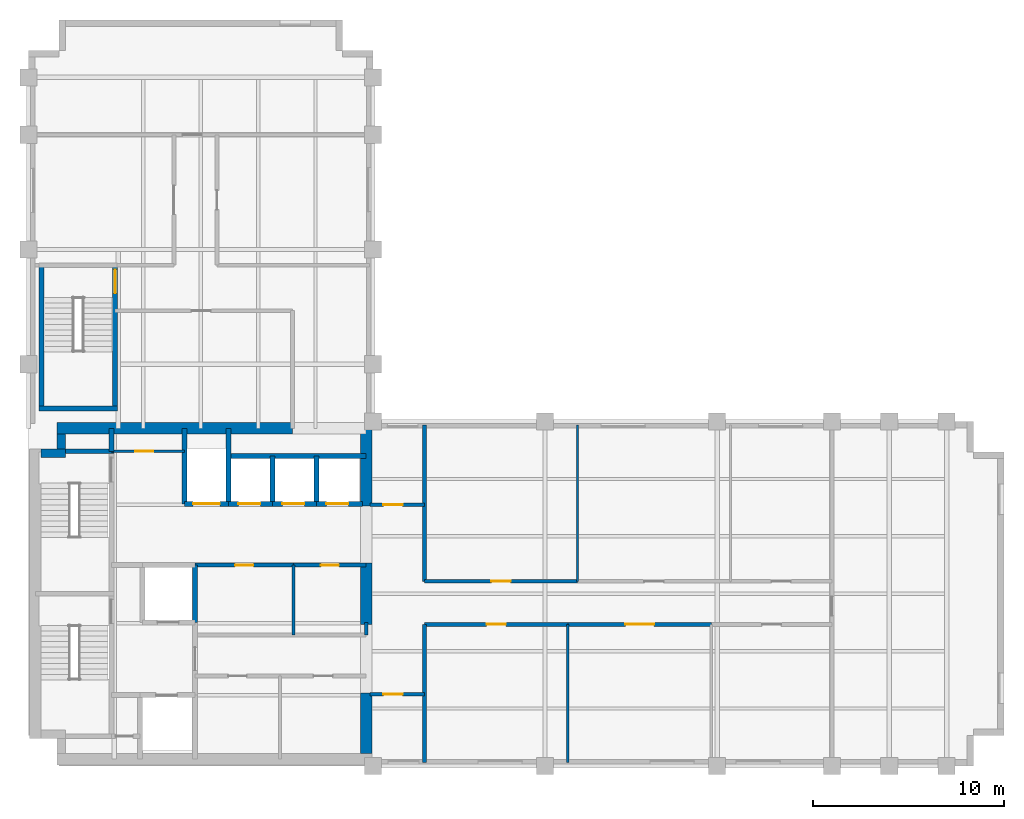
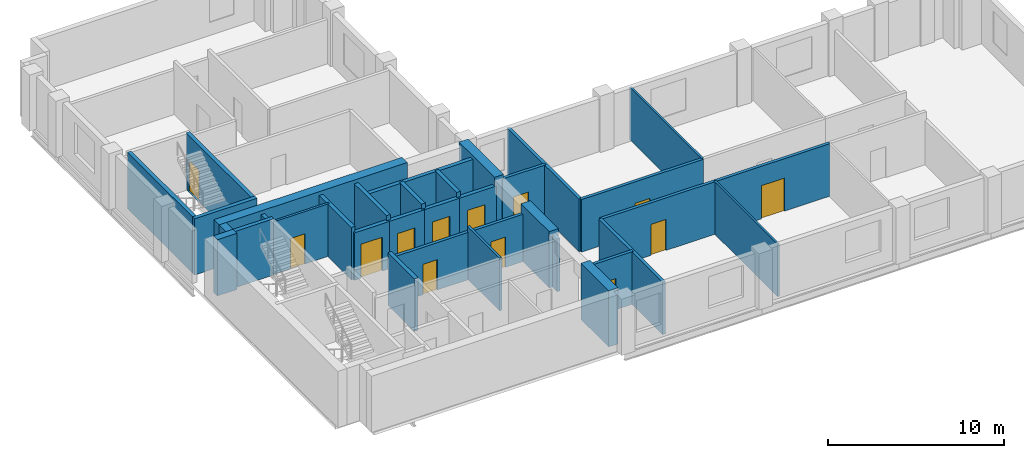
# One storey, part 3 of 6: 35 walls, 13 doors, 13 openings.
"""IFC4 building model written with IfcOpenShell, lengths in metres."""

from ifc_helpers import new_model, si_unit, direction, frame, frame_2d, origin, place, context, subcontext, project, spatial, rectangle, extrude, material, layer, layer_set, type_object, element, fill, save


model = new_model("IFC4")

# Units and contexts
model_context = context("Model", 3, precision=1e-05, world=origin(), true_north=direction((0.0, 1.0)))
body_context = subcontext(model_context, "Body", "Model", "MODEL_VIEW")
ifc_project = project(units=[si_unit("LENGTHUNIT", "METRE"), si_unit("AREAUNIT", "SQUARE_METRE"), si_unit("VOLUMEUNIT", "CUBIC_METRE"), si_unit("PLANEANGLEUNIT", "RADIAN"), si_unit("MASSUNIT", "GRAM", prefix="KILO")], contexts=[model_context])

# Site, building, storey
site_placement = place(None, origin())
site = spatial("IfcSite", under=ifc_project, at=site_placement, CompositionType="ELEMENT")
building_placement = place(site_placement, origin())
building = spatial("IfcBuilding", under=site, at=building_placement, Name="Mawjdan Bourse Tower", CompositionType="ELEMENT")
storey_placement = place(building_placement, frame((0.0, 0.0, 219.0)))
storey = spatial("IfcBuildingStorey", under=building, at=storey_placement, Name="L53", CompositionType="ELEMENT", Elevation=219.0)

# Wall
ifc_material_1 = material(Name="Gypsum Fireboard Assembly")
ifc_layer_1 = layer(ifc_material_1, 0.199951171875)
ifc_layer_set_1 = layer_set([ifc_layer_1], Name="Gypsum Fireboard Assembly")
wall_type_1 = type_object("IfcWallType", Name="WL-CMP-200", PredefinedType="PARTITIONING", material=ifc_layer_set_1)
wall_1_placement = place(storey_placement, frame((23.64990234375, 9.85009765625, 0.0), z_axis=(0.0, 0.0, 1.0), x_axis=(0.0, 1.0, 0.0)))
element("IfcWall", 1, at=wall_1_placement, inside=storey, type_object=wall_type_1, Name="L53 Core Restroom East Return", PredefinedType="PARTITIONING", context=body_context, shape_type="SweptSolid", body=[
    extrude(rectangle(XDim=0.64990234375, YDim=0.199951171875, at=frame_2d((0.324951171875, 0.0))), origin(), (0.0, 0.0, 1.0), 3.639892578125),
])

# Wall, opening, door
wall_2_placement = place(storey_placement, frame((14.699951171875, 13.5, 0.0), z_axis=(0.0, 0.0, 1.0), x_axis=(1.0, 0.0, 0.0)))
wall_2 = element("IfcWall", 2, at=wall_2_placement, inside=storey, type_object=wall_type_1, Name="L53 Accessible WC North Wall", PredefinedType="PARTITIONING", context=body_context, shape_type="SweptSolid", body=[
    extrude(rectangle(XDim=5.150146484375, YDim=0.199951171875, at=frame_2d((2.5751953125, 0.0))), origin(), (0.0, 0.0, 1.0), 3.282958984375),
])
opening_1_placement = place(wall_2_placement, frame((2.10009765625, 0.0, 0.0)))
opening_1 = element("IfcOpeningElement", 3, at=opening_1_placement, cuts=wall_2, Name="Opening D-L53-15", PredefinedType="OPENING", context=body_context, shape_type="SweptSolid", body=[
    extrude(rectangle(XDim=0.949951171875, YDim=2.10009765625, at=frame_2d((0.47509765625, 1.050048828125))), frame((0.0, 0.10986328125, 0.0), z_axis=(0.0, -1.0, 0.0), x_axis=(1.0, 0.0, 0.0)), (0.0, 0.0, 1.0), 0.219970703125),
])
ifc_material_2 = material(Name="Moisture-Resistant Laminate Timber", Category="wood")
door_type_1 = type_object("IfcDoorType", Name="DR-WET-0950", OperationType="NOTDEFINED", PredefinedType="DOOR", material=ifc_material_2)
door_1_placement = place(opening_1_placement, origin())
door_1 = element("IfcDoor", 4, at=door_1_placement, inside=storey, type_object=door_type_1, Name="L53 Accessible WC Door D-L53-15", OperationType="SINGLE_SWING_RIGHT", OverallHeight=2.10009765625, OverallWidth=0.949951171875, PredefinedType="DOOR", context=body_context, shape_type="SweptSolid", body=[
    extrude(rectangle(XDim=0.949951171875, YDim=2.10009765625, at=frame_2d((0.47509765625, 1.050048828125))), frame((0.0, 0.02490234375, 0.0), z_axis=(0.0, -1.0, 0.0), x_axis=(1.0, 0.0, 0.0)), (0.0, 0.0, 1.0), 0.050048828125),
])
fill(opening_1, door_1)

wall_3_placement = place(storey_placement, frame((19.85009765625, 13.5, 0.0), z_axis=(0.0, 0.0, 1.0), x_axis=(1.0, 0.0, 0.0)))
wall_3 = element("IfcWall", 5, at=wall_3_placement, inside=storey, type_object=wall_type_1, Name="L53 Executive Restroom Suite North Wall", PredefinedType="PARTITIONING", context=body_context, shape_type="SweptSolid", body=[
    extrude(rectangle(XDim=3.7998046875, YDim=0.199951171875, at=frame_2d((1.89990234375, 0.0))), origin(), (0.0, 0.0, 1.0), 3.282958984375),
])
opening_2_placement = place(wall_3_placement, frame((1.425048828125, 0.0, 0.0)))
opening_2 = element("IfcOpeningElement", 6, at=opening_2_placement, cuts=wall_3, Name="Opening D-L53-16", PredefinedType="OPENING", context=body_context, shape_type="SweptSolid", body=[
    extrude(rectangle(XDim=0.949951171875, YDim=2.10009765625, at=frame_2d((0.47509765625, 1.050048828125))), frame((0.0, 0.10986328125, 0.0), z_axis=(0.0, -1.0, 0.0), x_axis=(1.0, 0.0, 0.0)), (0.0, 0.0, 1.0), 0.219970703125),
])
door_2_placement = place(opening_2_placement, origin())
door_2 = element("IfcDoor", 7, at=door_2_placement, inside=storey, type_object=door_type_1, Name="L53 Executive Restroom Suite Door D-L53-16", OperationType="SINGLE_SWING_LEFT", OverallHeight=2.10009765625, OverallWidth=0.949951171875, PredefinedType="DOOR", context=body_context, shape_type="SweptSolid", body=[
    extrude(rectangle(XDim=0.949951171875, YDim=2.10009765625, at=frame_2d((0.47509765625, 1.050048828125))), frame((0.0, 0.02490234375, 0.0), z_axis=(0.0, -1.0, 0.0), x_axis=(1.0, 0.0, 0.0)), (0.0, 0.0, 1.0), 0.050048828125),
])
fill(opening_2, door_2)

wall_4_placement = place(storey_placement, frame((23.85009765625, 6.75, 0.0), z_axis=(0.0, 0.0, 1.0), x_axis=(1.0, 0.0, 0.0)))
wall_4 = element("IfcWall", 8, at=wall_4_placement, inside=storey, type_object=wall_type_1, Name="L53 West Pocket North Wall", PredefinedType="PARTITIONING", context=body_context, shape_type="SweptSolid", body=[
    extrude(rectangle(XDim=2.849853515625, YDim=0.199951171875, at=frame_2d((1.4248046875, 0.0))), origin(), (0.0, 0.0, 1.0), 3.639892578125),
])
opening_3_placement = place(wall_4_placement, frame((0.699951171875, 0.0, 0.0)))
opening_3 = element("IfcOpeningElement", 9, at=opening_3_placement, cuts=wall_4, Name="Opening D-L53-19", PredefinedType="OPENING", context=body_context, shape_type="SweptSolid", body=[
    extrude(rectangle(XDim=1.0, YDim=2.14990234375, at=frame_2d((0.5, 1.074951171875))), frame((0.0, 0.10986328125, 0.0), z_axis=(0.0, -1.0, 0.0), x_axis=(1.0, 0.0, 0.0)), (0.0, 0.0, 1.0), 0.219970703125),
])
ifc_material_3 = material(Name="Hardwood Acoustic Leaf", Category="wood")
door_type_2 = type_object("IfcDoorType", Name="DR-OFC-1000", OperationType="NOTDEFINED", PredefinedType="DOOR", material=ifc_material_3)
door_3_placement = place(opening_3_placement, origin())
door_3 = element("IfcDoor", 10, at=door_3_placement, inside=storey, type_object=door_type_2, Name="L53 West Pocket Office Door D-L53-19", OperationType="SINGLE_SWING_RIGHT", OverallHeight=2.14990234375, OverallWidth=1.0, PredefinedType="DOOR", context=body_context, shape_type="SweptSolid", body=[
    extrude(rectangle(XDim=1.0, YDim=2.14990234375, at=frame_2d((0.5, 1.074951171875))), frame((0.0, 0.02490234375, 0.0), z_axis=(0.0, -1.0, 0.0), x_axis=(1.0, 0.0, 0.0)), (0.0, 0.0, 1.0), 0.050048828125),
])
fill(opening_3, door_3)

wall_5_placement = place(storey_placement, frame((23.85009765625, 16.64990234375, 0.0), z_axis=(0.0, 0.0, 1.0), x_axis=(1.0, 0.0, 0.0)))
wall_5 = element("IfcWall", 11, at=wall_5_placement, inside=storey, type_object=wall_type_1, Name="L53 West North Pocket Wall", PredefinedType="PARTITIONING", context=body_context, shape_type="SweptSolid", body=[
    extrude(rectangle(XDim=2.849853515625, YDim=0.199951171875, at=frame_2d((1.4248046875, 0.0))), origin(), (0.0, 0.0, 1.0), 3.639892578125),
])
opening_4_placement = place(wall_5_placement, frame((0.699951171875, 0.0, 0.0)))
opening_4 = element("IfcOpeningElement", 12, at=opening_4_placement, cuts=wall_5, Name="Opening D-L53-20", PredefinedType="OPENING", context=body_context, shape_type="SweptSolid", body=[
    extrude(rectangle(XDim=1.0, YDim=2.14990234375, at=frame_2d((0.5, 1.074951171875))), frame((0.0, 0.10986328125, 0.0), z_axis=(0.0, -1.0, 0.0), x_axis=(1.0, 0.0, 0.0)), (0.0, 0.0, 1.0), 0.219970703125),
])
door_4_placement = place(opening_4_placement, origin())
door_4 = element("IfcDoor", 13, at=door_4_placement, inside=storey, type_object=door_type_2, Name="L53 West North Pocket Door D-L53-20", OperationType="SINGLE_SWING_LEFT", OverallHeight=2.14990234375, OverallWidth=1.0, PredefinedType="DOOR", context=body_context, shape_type="SweptSolid", body=[
    extrude(rectangle(XDim=1.0, YDim=2.14990234375, at=frame_2d((0.5, 1.074951171875))), frame((0.0, 0.02490234375, 0.0), z_axis=(0.0, -1.0, 0.0), x_axis=(1.0, 0.0, 0.0)), (0.0, 0.0, 1.0), 0.050048828125),
])
fill(opening_4, door_4)

# Walls
wall_6_placement = place(storey_placement, frame((26.699951171875, 3.179931640625, 0.0), z_axis=(0.0, 0.0, 1.0), x_axis=(0.0, 1.0, 0.0)))
element("IfcWall", 14, at=wall_6_placement, inside=storey, type_object=wall_type_1, Name="L53 Vestibule South East Wall", PredefinedType="PARTITIONING", context=body_context, shape_type="SweptSolid", body=[
    extrude(rectangle(XDim=7.219970703125, YDim=0.199951171875, at=frame_2d((3.60986328125, 0.0))), origin(), (0.0, 0.0, 1.0), 3.639892578125),
])
wall_7_placement = place(storey_placement, frame((26.699951171875, 12.64990234375, 0.0), z_axis=(0.0, 0.0, 1.0), x_axis=(0.0, 1.0, 0.0)))
element("IfcWall", 15, at=wall_7_placement, inside=storey, type_object=wall_type_1, Name="L53 Vestibule North East Wall", PredefinedType="PARTITIONING", context=body_context, shape_type="SweptSolid", body=[
    extrude(rectangle(XDim=8.170166015625, YDim=0.199951171875, at=frame_2d((4.0849609375, 0.0))), origin(), (0.0, 0.0, 1.0), 3.639892578125),
])

# Wall, opening, door
wall_8_placement = place(storey_placement, frame((26.699951171875, 10.39990234375, 0.0), z_axis=(0.0, 0.0, 1.0), x_axis=(1.0, 0.0, 0.0)))
wall_8 = element("IfcWall", 16, at=wall_8_placement, inside=storey, type_object=wall_type_1, Name="L53 Infrastructure Investment Suite Corridor Wall", PredefinedType="PARTITIONING", context=body_context, shape_type="SweptSolid", body=[
    extrude(rectangle(XDim=7.5, YDim=0.199951171875, at=frame_2d((3.75, 0.0))), origin(), (0.0, 0.0, 1.0), 3.639892578125),
])
opening_5_placement = place(wall_8_placement, frame((3.25, 0.0, 0.0)))
opening_5 = element("IfcOpeningElement", 17, at=opening_5_placement, cuts=wall_8, Name="Opening D-L53-21", PredefinedType="OPENING", context=body_context, shape_type="SweptSolid", body=[
    extrude(rectangle(XDim=1.0, YDim=2.14990234375, at=frame_2d((0.5, 1.074951171875))), frame((0.0, 0.10986328125, 0.0), z_axis=(0.0, -1.0, 0.0), x_axis=(1.0, 0.0, 0.0)), (0.0, 0.0, 1.0), 0.219970703125),
])
door_5_placement = place(opening_5_placement, origin())
door_5 = element("IfcDoor", 18, at=door_5_placement, inside=storey, type_object=door_type_2, Name="L53 Infrastructure Investment Suite Door D-L53-21", OperationType="SINGLE_SWING_RIGHT", OverallHeight=2.14990234375, OverallWidth=1.0, PredefinedType="DOOR", context=body_context, shape_type="SweptSolid", body=[
    extrude(rectangle(XDim=1.0, YDim=2.14990234375, at=frame_2d((0.5, 1.074951171875))), frame((0.0, 0.02490234375, 0.0), z_axis=(0.0, -1.0, 0.0), x_axis=(1.0, 0.0, 0.0)), (0.0, 0.0, 1.0), 0.050048828125),
])
fill(opening_5, door_5)

wall_9_placement = place(storey_placement, frame((34.199951171875, 10.39990234375, 0.0), z_axis=(0.0, 0.0, 1.0), x_axis=(1.0, 0.0, 0.0)))
wall_9 = element("IfcWall", 19, at=wall_9_placement, inside=storey, type_object=wall_type_1, Name="L53 Conference Room Corridor Wall", PredefinedType="PARTITIONING", context=body_context, shape_type="SweptSolid", body=[
    extrude(rectangle(XDim=7.5, YDim=0.199951171875, at=frame_2d((3.75, 0.0))), origin(), (0.0, 0.0, 1.0), 3.639892578125),
])
opening_6_placement = place(wall_9_placement, frame((3.0, 0.0, 0.0)))
opening_6 = element("IfcOpeningElement", 20, at=opening_6_placement, cuts=wall_9, Name="Opening D-L53-22", PredefinedType="OPENING", context=body_context, shape_type="SweptSolid", body=[
    extrude(rectangle(XDim=1.5, YDim=2.300048828125, at=frame_2d((0.75, 1.14990234375))), frame((0.0, 0.10986328125, 0.0), z_axis=(0.0, -1.0, 0.0), x_axis=(1.0, 0.0, 0.0)), (0.0, 0.0, 1.0), 0.219970703125),
])
ifc_material_4 = material(Name="Acoustic Glazed Timber", Category="wood")
door_type_3 = type_object("IfcDoorType", Name="DR-CNF-1500", OperationType="DOUBLE_DOOR_SINGLE_SWING", PredefinedType="DOOR", material=ifc_material_4)
door_6_placement = place(opening_6_placement, origin())
door_6 = element("IfcDoor", 21, at=door_6_placement, inside=storey, type_object=door_type_3, Name="L53 Conference Room Door D-L53-22", OperationType="DOUBLE_DOOR_SINGLE_SWING", OverallHeight=2.300048828125, OverallWidth=1.5, PredefinedType="DOOR", context=body_context, shape_type="SweptSolid", body=[
    extrude(rectangle(XDim=1.5, YDim=2.300048828125, at=frame_2d((0.75, 1.14990234375))), frame((0.0, 0.02490234375, 0.0), z_axis=(0.0, -1.0, 0.0), x_axis=(1.0, 0.0, 0.0)), (0.0, 0.0, 1.0), 0.050048828125),
])
fill(opening_6, door_6)

wall_10_placement = place(storey_placement, frame((26.699951171875, 12.64990234375, 0.0), z_axis=(0.0, 0.0, 1.0), x_axis=(1.0, 0.0, 0.0)))
wall_10 = element("IfcWall", 22, at=wall_10_placement, inside=storey, type_object=wall_type_1, Name="L53 Executive Office Corridor Wall", PredefinedType="PARTITIONING", context=body_context, shape_type="SweptSolid", body=[
    extrude(rectangle(XDim=8.0, YDim=0.199951171875, at=frame_2d((4.0, 0.0))), origin(), (0.0, 0.0, 1.0), 3.639892578125),
])
opening_7_placement = place(wall_10_placement, frame((3.5, 0.0, 0.0)))
opening_7 = element("IfcOpeningElement", 23, at=opening_7_placement, cuts=wall_10, Name="Opening D-L53-24", PredefinedType="OPENING", context=body_context, shape_type="SweptSolid", body=[
    extrude(rectangle(XDim=1.0, YDim=2.14990234375, at=frame_2d((0.5, 1.074951171875))), frame((0.0, 0.10986328125, 0.0), z_axis=(0.0, -1.0, 0.0), x_axis=(1.0, 0.0, 0.0)), (0.0, 0.0, 1.0), 0.219970703125),
])
door_7_placement = place(opening_7_placement, origin())
door_7 = element("IfcDoor", 24, at=door_7_placement, inside=storey, type_object=door_type_2, Name="L53 Executive Office Door D-L53-24", OperationType="SINGLE_SWING_RIGHT", OverallHeight=2.14990234375, OverallWidth=1.0, PredefinedType="DOOR", context=body_context, shape_type="SweptSolid", body=[
    extrude(rectangle(XDim=1.0, YDim=2.14990234375, at=frame_2d((0.5, 1.074951171875))), frame((0.0, 0.02490234375, 0.0), z_axis=(0.0, -1.0, 0.0), x_axis=(1.0, 0.0, 0.0)), (0.0, 0.0, 1.0), 0.050048828125),
])
fill(opening_7, door_7)

# Walls
ifc_material_5 = material(Name="Concrete C60/75", Category="concrete")
ifc_layer_2 = layer(ifc_material_5, 0.449951171875)
ifc_layer_set_2 = layer_set([ifc_layer_2], Name="Concrete C60/75")
wall_type_2 = type_object("IfcWallType", Name="WL-CORE-450", PredefinedType="SHEAR", material=ifc_layer_set_2)
wall_11_placement = place(storey_placement, frame((6.64990234375, 19.35009765625, 0.0), z_axis=(0.0, 0.0, 1.0), x_axis=(1.0, 0.0, 0.0)))
element("IfcWall", 25, at=wall_11_placement, inside=storey, type_object=wall_type_2, Name="L53 Rear Core Shear Wall NW-X", PredefinedType="SHEAR", context=body_context, shape_type="SweptSolid", body=[
    extrude(rectangle(XDim=1.275146484375, YDim=0.449951171875, at=frame_2d((0.6376953125, 0.0))), origin(), (0.0, 0.0, 1.0), 3.89990234375),
])
wall_12_placement = place(storey_placement, frame((7.699951171875, 19.574951171875, 0.0), z_axis=(0.0, 0.0, 1.0), x_axis=(0.0, 1.0, 0.0)))
element("IfcWall", 26, at=wall_12_placement, inside=storey, type_object=wall_type_2, Name="L53 Rear Core Shear Wall NW-Y", PredefinedType="SHEAR", context=body_context, shape_type="SweptSolid", body=[
    extrude(rectangle(XDim=0.775146484375, YDim=0.449951171875, at=frame_2d((0.3876953125, 0.0))), origin(), (0.0, 0.0, 1.0), 3.89990234375),
])
ifc_material_6 = material(Name="Concrete C70/85", Category="concrete")
ifc_layer_3 = layer(ifc_material_6, 0.60009765625)
ifc_layer_set_3 = layer_set([ifc_layer_3], Name="Concrete C70/85")
wall_type_3 = type_object("IfcWallType", Name="WL-CORE-600", PredefinedType="SHEAR", material=ifc_layer_set_3)
wall_13_placement = place(storey_placement, frame((7.47509765625, 20.64990234375, 0.0), z_axis=(0.0, 0.0, 1.0), x_axis=(1.0, 0.0, 0.0)))
element("IfcWall", 27, at=wall_13_placement, inside=storey, type_object=wall_type_3, Name="L53 Rear Core Shear Wall N", PredefinedType="SHEAR", context=body_context, shape_type="SweptSolid", body=[
    extrude(rectangle(XDim=12.324951171875, YDim=0.60009765625, at=frame_2d((6.16259765625, 0.0))), origin(), (0.0, 0.0, 1.0), 3.89990234375),
])
wall_14_placement = place(storey_placement, frame((23.64990234375, 3.64990234375, 0.0), z_axis=(0.0, 0.0, 1.0), x_axis=(0.0, 1.0, 0.0)))
element("IfcWall", 28, at=wall_14_placement, inside=storey, type_object=wall_type_3, Name="L53 Rear Core Shear Wall E1", PredefinedType="SHEAR", context=body_context, shape_type="SweptSolid", body=[
    extrude(rectangle(XDim=3.150146484375, YDim=0.60009765625, at=frame_2d((1.5751953125, 0.0))), origin(), (0.0, 0.0, 1.0), 3.89990234375),
])
wall_15_placement = place(storey_placement, frame((23.64990234375, 10.39990234375, 0.0), z_axis=(0.0, 0.0, 1.0), x_axis=(0.0, 1.0, 0.0)))
element("IfcWall", 29, at=wall_15_placement, inside=storey, type_object=wall_type_3, Name="L53 Rear Core Shear Wall E2", PredefinedType="SHEAR", context=body_context, shape_type="SweptSolid", body=[
    extrude(rectangle(XDim=3.2001953125, YDim=0.60009765625, at=frame_2d((1.60009765625, 0.0))), origin(), (0.0, 0.0, 1.0), 3.89990234375),
])
wall_16_placement = place(storey_placement, frame((23.64990234375, 16.60009765625, 0.0), z_axis=(0.0, 0.0, 1.0), x_axis=(0.0, 1.0, 0.0)))
element("IfcWall", 30, at=wall_16_placement, inside=storey, type_object=wall_type_3, Name="L53 Rear Core Shear Wall E3", PredefinedType="SHEAR", context=body_context, shape_type="SweptSolid", body=[
    extrude(rectangle(XDim=4.0498046875, YDim=0.60009765625, at=frame_2d((2.02490234375, 0.0))), origin(), (0.0, 0.0, 1.0), 3.89990234375),
])
ifc_material_7 = material(Name="Gypsum Partition")
ifc_layer_4 = layer(ifc_material_7, 0.125)
ifc_layer_set_4 = layer_set([ifc_layer_4], Name="Gypsum Partition")
wall_type_4 = type_object("IfcWallType", Name="WL-PRT-125", PredefinedType="PARTITIONING", material=ifc_layer_set_4)
wall_17_placement = place(storey_placement, frame((34.199951171875, 3.179931640625, 0.0), z_axis=(0.0, 0.0, 1.0), x_axis=(0.0, 1.0, 0.0)))
element("IfcWall", 31, at=wall_17_placement, inside=storey, type_object=wall_type_4, Name="L53 Conference Room Partition", PredefinedType="PARTITIONING", context=body_context, shape_type="SweptSolid", body=[
    extrude(rectangle(XDim=7.219970703125, YDim=0.125, at=frame_2d((3.60986328125, 0.0))), origin(), (0.0, 0.0, 1.0), 3.639892578125),
])
wall_18_placement = place(storey_placement, frame((34.699951171875, 12.64990234375, 0.0), z_axis=(0.0, 0.0, 1.0), x_axis=(0.0, 1.0, 0.0)))
element("IfcWall", 32, at=wall_18_placement, inside=storey, type_object=wall_type_4, Name="L53 Valuation Office Partition", PredefinedType="PARTITIONING", context=body_context, shape_type="SweptSolid", body=[
    extrude(rectangle(XDim=8.170166015625, YDim=0.125, at=frame_2d((4.0849609375, 0.0))), origin(), (0.0, 0.0, 1.0), 3.639892578125),
])
ifc_material_8 = material(Name="Gypsum Acoustic Partition")
ifc_layer_5 = layer(ifc_material_8, 0.14990234375)
ifc_layer_set_5 = layer_set([ifc_layer_5], Name="Gypsum Acoustic Partition")
wall_type_5 = type_object("IfcWallType", Name="WL-PRT-150", PredefinedType="PARTITIONING", material=ifc_layer_set_5)
wall_19_placement = place(storey_placement, frame((19.85009765625, 9.85009765625, 0.0), z_axis=(0.0, 0.0, 1.0), x_axis=(0.0, 1.0, 0.0)))
element("IfcWall", 33, at=wall_19_placement, inside=storey, type_object=wall_type_5, Name="L53 Executive Restroom Suite Split Wall", PredefinedType="PARTITIONING", context=body_context, shape_type="SweptSolid", body=[
    extrude(rectangle(XDim=3.64990234375, YDim=0.14990234375, at=frame_2d((1.824951171875, 0.0))), origin(), (0.0, 0.0, 1.0), 3.639892578125),
])

# Wall, opening, door
wall_20_placement = place(storey_placement, frame((10.330078125, 19.449951171875, 0.0), z_axis=(0.0, 0.0, 1.0), x_axis=(1.0, 0.0, 0.0)))
wall_20 = element("IfcWall", 34, at=wall_20_placement, inside=storey, type_object=wall_type_5, Name="L53 Housekeeping South Wall", PredefinedType="PARTITIONING", context=body_context, shape_type="SweptSolid", body=[
    extrude(rectangle(XDim=3.81982421875, YDim=0.14990234375, at=frame_2d((1.909912109375, 0.0))), origin(), (0.0, 0.0, 1.0), 3.639892578125),
])
opening_8_placement = place(wall_20_placement, frame((1.25, 0.0, 0.0)))
opening_8 = element("IfcOpeningElement", 35, at=opening_8_placement, cuts=wall_20, Name="Opening D-L53-17", PredefinedType="OPENING", context=body_context, shape_type="SweptSolid", body=[
    extrude(rectangle(XDim=0.949951171875, YDim=2.10009765625, at=frame_2d((0.47509765625, 1.050048828125))), frame((0.0, 0.0849609375, 0.0), z_axis=(0.0, -1.0, 0.0), x_axis=(1.0, 0.0, 0.0)), (0.0, 0.0, 1.0), 0.169921875),
])
door_8_placement = place(opening_8_placement, origin())
door_8 = element("IfcDoor", 36, at=door_8_placement, inside=storey, type_object=door_type_1, Name="L53 Housekeeping Closet Door D-L53-17", OperationType="SINGLE_SWING_RIGHT", OverallHeight=2.10009765625, OverallWidth=0.949951171875, PredefinedType="DOOR", context=body_context, shape_type="SweptSolid", body=[
    extrude(rectangle(XDim=0.949951171875, YDim=2.10009765625, at=frame_2d((0.47509765625, 1.050048828125))), frame((0.0, 0.02490234375, 0.0), z_axis=(0.0, -1.0, 0.0), x_axis=(1.0, 0.0, 0.0)), (0.0, 0.0, 1.0), 0.050048828125),
])
fill(opening_8, door_8)

# Walls
ifc_material_9 = material(Name="Concrete C50/60", Category="concrete")
ifc_layer_6 = layer(ifc_material_9, 0.25)
ifc_layer_set_6 = layer_set([ifc_layer_6], Name="Concrete C50/60")
wall_type_6 = type_object("IfcWallType", Name="WL-SHFT-250", PredefinedType="PARTITIONING", material=ifc_layer_set_6)
wall_21_placement = place(storey_placement, frame((10.330078125, 19.449951171875, 0.0), z_axis=(0.0, 0.0, 1.0), x_axis=(0.0, 1.0, 0.0)))
element("IfcWall", 37, at=wall_21_placement, inside=storey, type_object=wall_type_6, Name="L53 NW Riser East Wall", PredefinedType="PARTITIONING", context=body_context, shape_type="SweptSolid", body=[
    extrude(rectangle(XDim=1.199951171875, YDim=0.25, at=frame_2d((0.60009765625, 0.0))), origin(), (0.0, 0.0, 1.0), 3.639892578125),
])
wall_22_placement = place(storey_placement, frame((14.699951171875, 10.5, 0.0), z_axis=(0.0, 0.0, 1.0), x_axis=(0.0, 1.0, 0.0)))
element("IfcWall", 38, at=wall_22_placement, inside=storey, type_object=wall_type_6, Name="L53 FFL-02 East Shaft Wall", PredefinedType="PARTITIONING", context=body_context, shape_type="SweptSolid", body=[
    extrude(rectangle(XDim=3.0, YDim=0.25, at=frame_2d((1.5, 0.0))), origin(), (0.0, 0.0, 1.0), 3.639892578125),
])

# Wall, opening, door
wall_23_placement = place(storey_placement, frame((14.14990234375, 16.699951171875, 0.0), z_axis=(0.0, 0.0, 1.0), x_axis=(1.0, 0.0, 0.0)))
wall_23 = element("IfcWall", 39, at=wall_23_placement, inside=storey, type_object=wall_type_6, Name="L53 SVL-01 Front Shaft Wall", PredefinedType="PARTITIONING", context=body_context, shape_type="SweptSolid", body=[
    extrude(rectangle(XDim=2.300048828125, YDim=0.25, at=frame_2d((1.14990234375, 0.0))), origin(), (0.0, 0.0, 1.0), 3.282958984375),
])
opening_9_placement = place(wall_23_placement, frame((0.449951171875, 0.0, 0.0)))
opening_9 = element("IfcOpeningElement", 40, at=opening_9_placement, cuts=wall_23, Name="Opening LD-L53-09", PredefinedType="OPENING", context=body_context, shape_type="SweptSolid", body=[
    extrude(rectangle(XDim=1.39990234375, YDim=2.35009765625, at=frame_2d((0.699951171875, 1.175048828125))), frame((0.0, 0.135009765625, 0.0), z_axis=(0.0, -1.0, 0.0), x_axis=(1.0, 0.0, 0.0)), (0.0, 0.0, 1.0), 0.27001953125),
])
ifc_material_10 = material(Name="Heavy-Duty Stainless Steel", Category="steel")
door_type_4 = type_object("IfcDoorType", Name="LD-SRV-1400", OperationType="DOUBLE_DOOR_SLIDING", PredefinedType="DOOR", material=ifc_material_10)
door_9_placement = place(opening_9_placement, origin())
door_9 = element("IfcDoor", 41, at=door_9_placement, inside=storey, type_object=door_type_4, Name="L53 Service Lift SVL-01 Landing Door LD-L53-09", OperationType="DOUBLE_DOOR_SLIDING", OverallHeight=2.35009765625, OverallWidth=1.39990234375, PredefinedType="DOOR", context=body_context, shape_type="SweptSolid", body=[
    extrude(rectangle(XDim=1.39990234375, YDim=2.35009765625, at=frame_2d((0.699951171875, 1.175048828125))), frame((0.0, 0.02490234375, 0.0), z_axis=(0.0, -1.0, 0.0), x_axis=(1.0, 0.0, 0.0)), (0.0, 0.0, 1.0), 0.050048828125),
])
fill(opening_9, door_9)

# Walls
for number, where, z_axis, x_axis, name in (
    (42, (14.14990234375, 16.699951171875, 0.0), (0.0, 0.0, 1.0), (0.0, 1.0, 0.0), "L53 SVL-01 West Shaft Wall"),
    (43, (16.449951171875, 16.699951171875, 0.0), (0.0, 0.0, 1.0), (0.0, 1.0, 0.0), "L53 SVL-01 East Shaft Wall"),
):
    element("IfcWall", number, at=place(storey_placement, frame(where, z_axis=z_axis, x_axis=x_axis)), inside=storey, type_object=wall_type_6, Name=name, PredefinedType="PARTITIONING", context=body_context, shape_type="SweptSolid", body=[
        extrude(rectangle(XDim=3.949951171875, YDim=0.25, at=frame_2d((1.97509765625, 0.0))), origin(), (0.0, 0.0, 1.0), 3.639892578125),
    ])

# Wall, opening, door
wall_24_placement = place(storey_placement, frame((16.449951171875, 16.699951171875, 0.0), z_axis=(0.0, 0.0, 1.0), x_axis=(1.0, 0.0, 0.0)))
wall_24 = element("IfcWall", 44, at=wall_24_placement, inside=storey, type_object=wall_type_6, Name="L53 PH-01 Front Wall", PredefinedType="PARTITIONING", context=body_context, shape_type="SweptSolid", body=[
    extrude(rectangle(XDim=2.300048828125, YDim=0.25, at=frame_2d((1.14990234375, 0.0))), origin(), (0.0, 0.0, 1.0), 3.282958984375),
])
opening_10_placement = place(wall_24_placement, frame((0.52001953125, 0.0, 0.0)))
opening_10 = element("IfcOpeningElement", 45, at=opening_10_placement, cuts=wall_24, Name="Opening LD-L53-10", PredefinedType="OPENING", context=body_context, shape_type="SweptSolid", body=[
    extrude(rectangle(XDim=1.14990234375, YDim=2.25, at=frame_2d((0.574951171875, 1.125))), frame((0.0, 0.135009765625, 0.0), z_axis=(0.0, -1.0, 0.0), x_axis=(1.0, 0.0, 0.0)), (0.0, 0.0, 1.0), 0.27001953125),
])
ifc_material_11 = material(Name="Brushed Stainless Steel", Category="steel")
door_type_5 = type_object("IfcDoorType", Name="LD-PAS-1150", OperationType="DOUBLE_DOOR_SLIDING", PredefinedType="DOOR", material=ifc_material_11)
door_10_placement = place(opening_10_placement, origin())
door_10 = element("IfcDoor", 46, at=door_10_placement, inside=storey, type_object=door_type_5, Name="L53 Lift PH-01 Landing Door LD-L53-10", OperationType="DOUBLE_DOOR_SLIDING", OverallHeight=2.25, OverallWidth=1.14990234375, PredefinedType="DOOR", context=body_context, shape_type="SweptSolid", body=[
    extrude(rectangle(XDim=1.14990234375, YDim=2.25, at=frame_2d((0.574951171875, 1.125))), frame((0.0, 0.02490234375, 0.0), z_axis=(0.0, -1.0, 0.0), x_axis=(1.0, 0.0, 0.0)), (0.0, 0.0, 1.0), 0.050048828125),
])
fill(opening_10, door_10)

# Wall
wall_25_placement = place(storey_placement, frame((18.75, 16.699951171875, 0.0), z_axis=(0.0, 0.0, 1.0), x_axis=(0.0, 1.0, 0.0)))
element("IfcWall", 47, at=wall_25_placement, inside=storey, type_object=wall_type_6, Name="L53 PH-01 Divider Wall", PredefinedType="PARTITIONING", context=body_context, shape_type="SweptSolid", body=[
    extrude(rectangle(XDim=2.5, YDim=0.25, at=frame_2d((1.25, 0.0))), origin(), (0.0, 0.0, 1.0), 3.639892578125),
])

# Wall, opening, door
wall_26_placement = place(storey_placement, frame((18.75, 16.699951171875, 0.0), z_axis=(0.0, 0.0, 1.0), x_axis=(1.0, 0.0, 0.0)))
wall_26 = element("IfcWall", 48, at=wall_26_placement, inside=storey, type_object=wall_type_6, Name="L53 PH-02 Front Wall", PredefinedType="PARTITIONING", context=body_context, shape_type="SweptSolid", body=[
    extrude(rectangle(XDim=2.300048828125, YDim=0.25, at=frame_2d((1.14990234375, 0.0))), origin(), (0.0, 0.0, 1.0), 3.282958984375),
])
opening_11_placement = place(wall_26_placement, frame((0.52001953125, 0.0, 0.0)))
opening_11 = element("IfcOpeningElement", 49, at=opening_11_placement, cuts=wall_26, Name="Opening LD-L53-11", PredefinedType="OPENING", context=body_context, shape_type="SweptSolid", body=[
    extrude(rectangle(XDim=1.14990234375, YDim=2.25, at=frame_2d((0.574951171875, 1.125))), frame((0.0, 0.135009765625, 0.0), z_axis=(0.0, -1.0, 0.0), x_axis=(1.0, 0.0, 0.0)), (0.0, 0.0, 1.0), 0.27001953125),
])
door_11_placement = place(opening_11_placement, origin())
door_11 = element("IfcDoor", 50, at=door_11_placement, inside=storey, type_object=door_type_5, Name="L53 Lift PH-02 Landing Door LD-L53-11", OperationType="DOUBLE_DOOR_SLIDING", OverallHeight=2.25, OverallWidth=1.14990234375, PredefinedType="DOOR", context=body_context, shape_type="SweptSolid", body=[
    extrude(rectangle(XDim=1.14990234375, YDim=2.25, at=frame_2d((0.574951171875, 1.125))), frame((0.0, 0.02490234375, 0.0), z_axis=(0.0, -1.0, 0.0), x_axis=(1.0, 0.0, 0.0)), (0.0, 0.0, 1.0), 0.050048828125),
])
fill(opening_11, door_11)

# Wall
wall_27_placement = place(storey_placement, frame((21.050048828125, 16.699951171875, 0.0), z_axis=(0.0, 0.0, 1.0), x_axis=(0.0, 1.0, 0.0)))
element("IfcWall", 51, at=wall_27_placement, inside=storey, type_object=wall_type_6, Name="L53 PH-02 Divider Wall", PredefinedType="PARTITIONING", context=body_context, shape_type="SweptSolid", body=[
    extrude(rectangle(XDim=2.5, YDim=0.25, at=frame_2d((1.25, 0.0))), origin(), (0.0, 0.0, 1.0), 3.639892578125),
])

# Wall, opening, door
wall_28_placement = place(storey_placement, frame((21.050048828125, 16.699951171875, 0.0), z_axis=(0.0, 0.0, 1.0), x_axis=(1.0, 0.0, 0.0)))
wall_28 = element("IfcWall", 52, at=wall_28_placement, inside=storey, type_object=wall_type_6, Name="L53 PH-03 Front Wall", PredefinedType="PARTITIONING", context=body_context, shape_type="SweptSolid", body=[
    extrude(rectangle(XDim=2.39990234375, YDim=0.25, at=frame_2d((1.199951171875, 0.0))), origin(), (0.0, 0.0, 1.0), 3.282958984375),
])
opening_12_placement = place(wall_28_placement, frame((0.52001953125, 0.0, 0.0)))
opening_12 = element("IfcOpeningElement", 53, at=opening_12_placement, cuts=wall_28, Name="Opening LD-L53-12", PredefinedType="OPENING", context=body_context, shape_type="SweptSolid", body=[
    extrude(rectangle(XDim=1.14990234375, YDim=2.25, at=frame_2d((0.574951171875, 1.125))), frame((0.0, 0.135009765625, 0.0), z_axis=(0.0, -1.0, 0.0), x_axis=(1.0, 0.0, 0.0)), (0.0, 0.0, 1.0), 0.27001953125),
])
door_12_placement = place(opening_12_placement, origin())
door_12 = element("IfcDoor", 54, at=door_12_placement, inside=storey, type_object=door_type_5, Name="L53 Lift PH-03 Landing Door LD-L53-12", OperationType="DOUBLE_DOOR_SLIDING", OverallHeight=2.25, OverallWidth=1.14990234375, PredefinedType="DOOR", context=body_context, shape_type="SweptSolid", body=[
    extrude(rectangle(XDim=1.14990234375, YDim=2.25, at=frame_2d((0.574951171875, 1.125))), frame((0.0, 0.02490234375, 0.0), z_axis=(0.0, -1.0, 0.0), x_axis=(1.0, 0.0, 0.0)), (0.0, 0.0, 1.0), 0.050048828125),
])
fill(opening_12, door_12)

# Walls
wall_29_placement = place(storey_placement, frame((16.449951171875, 19.199951171875, 0.0), z_axis=(0.0, 0.0, 1.0), x_axis=(1.0, 0.0, 0.0)))
element("IfcWall", 55, at=wall_29_placement, inside=storey, type_object=wall_type_6, Name="L53 PH Bank North Shaft Back Wall", PredefinedType="PARTITIONING", context=body_context, shape_type="SweptSolid", body=[
    extrude(rectangle(XDim=7.199951171875, YDim=0.25, at=frame_2d((3.60009765625, 0.0))), origin(), (0.0, 0.0, 1.0), 3.639892578125),
])
ifc_layer_7 = layer(ifc_material_9, 0.25)
ifc_layer_set_7 = layer_set([ifc_layer_7], Name="Concrete C50/60")
wall_type_7 = type_object("IfcWallType", Name="WL-STRW-250", PredefinedType="SHEAR", material=ifc_layer_set_7)
wall_30_placement = place(storey_placement, frame((7.699951171875, 19.449951171875, 0.0), z_axis=(0.0, 0.0, 1.0), x_axis=(1.0, 0.0, 0.0)))
element("IfcWall", 56, at=wall_30_placement, inside=storey, type_object=wall_type_7, Name="L53 Stairwell ST2 North Shaft Wall", PredefinedType="SHEAR", context=body_context, shape_type="SweptSolid", body=[
    extrude(rectangle(XDim=2.755126953125, YDim=0.25, at=frame_2d((1.37744140625, 0.0))), origin(), (0.0, 0.0, 1.0), 3.89990234375),
])
wall_31_placement = place(storey_placement, frame((6.554931640625, 21.679931640625, 0.0), z_axis=(0.0, 0.0, 1.0), x_axis=(1.0, 0.0, 0.0)))
element("IfcWall", 57, at=wall_31_placement, inside=storey, type_object=wall_type_7, Name="L53 ST3 South Shaft Wall", PredefinedType="SHEAR", context=body_context, shape_type="SweptSolid", body=[
    extrude(rectangle(XDim=4.090087890625, YDim=0.25, at=frame_2d((2.044921875, 0.0))), origin(), (0.0, 0.0, 1.0), 3.89990234375),
])
wall_32_placement = place(storey_placement, frame((6.679931640625, 21.679931640625, 0.0), z_axis=(0.0, 0.0, 1.0), x_axis=(0.0, 1.0, 0.0)))
element("IfcWall", 58, at=wall_32_placement, inside=storey, type_object=wall_type_7, Name="L53 ST3 West Shaft Wall", PredefinedType="SHEAR", context=body_context, shape_type="SweptSolid", body=[
    extrude(rectangle(XDim=7.5, YDim=0.25, at=frame_2d((3.75, 0.0))), origin(), (0.0, 0.0, 1.0), 3.89990234375),
])

# Wall, opening, door
wall_33_placement = place(storey_placement, frame((10.52001953125, 21.679931640625, 0.0), z_axis=(0.0, 0.0, 1.0), x_axis=(0.0, 1.0, 0.0)))
wall_33 = element("IfcWall", 59, at=wall_33_placement, inside=storey, type_object=wall_type_7, Name="L53 ST3 East Shaft Wall", PredefinedType="SHEAR", context=body_context, shape_type="SweptSolid", body=[
    extrude(rectangle(XDim=7.5, YDim=0.25, at=frame_2d((3.75, 0.0))), origin(), (0.0, 0.0, 1.0), 3.89990234375),
])
opening_13_placement = place(wall_33_placement, frame((6.02001953125, 0.0, 0.0)))
opening_13 = element("IfcOpeningElement", 60, at=opening_13_placement, cuts=wall_33, Name="Opening SD-L53-18", PredefinedType="OPENING", context=body_context, shape_type="SweptSolid", body=[
    extrude(rectangle(XDim=1.25, YDim=2.199951171875, at=frame_2d((0.625, 1.10009765625))), frame((0.0, 0.135009765625, 0.0), z_axis=(0.0, -1.0, 0.0), x_axis=(1.0, 0.0, 0.0)), (0.0, 0.0, 1.0), 0.27001953125),
])
ifc_material_12 = material(Name="Fire-Rated Steel Leaf", Category="steel")
door_type_6 = type_object("IfcDoorType", Name="FD-ST-1250", OperationType="NOTDEFINED", PredefinedType="DOOR", material=ifc_material_12)
door_13_placement = place(opening_13_placement, origin())
door_13 = element("IfcDoor", 61, at=door_13_placement, inside=storey, type_object=door_type_6, Name="L53 Stair ST3 Fire Door SD-L53-18", OperationType="SINGLE_SWING_LEFT", OverallHeight=2.199951171875, OverallWidth=1.25, PredefinedType="DOOR", context=body_context, shape_type="SweptSolid", body=[
    extrude(rectangle(XDim=1.25, YDim=2.199951171875, at=frame_2d((0.625, 1.10009765625))), frame((0.0, 0.02490234375, 0.0), z_axis=(0.0, -1.0, 0.0), x_axis=(1.0, 0.0, 0.0)), (0.0, 0.0, 1.0), 0.050048828125),
])
fill(opening_13, door_13)

save(model, "model.ifc")
